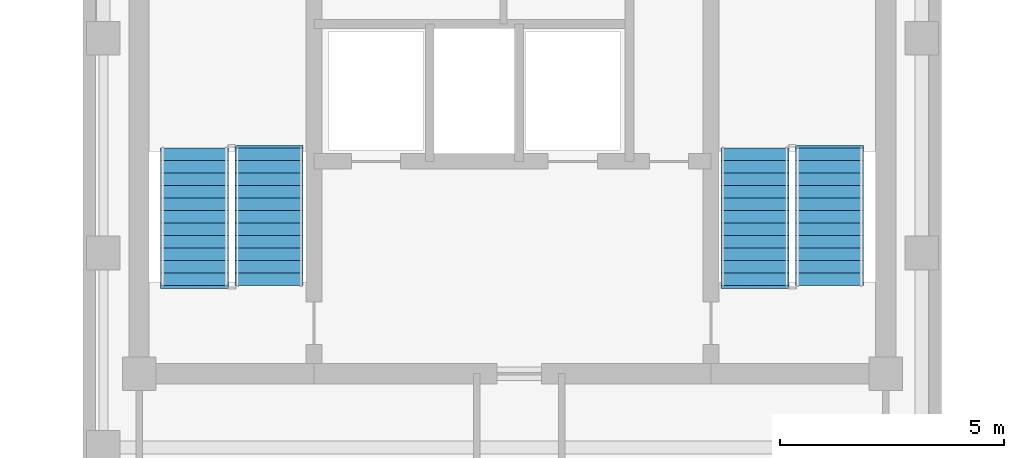
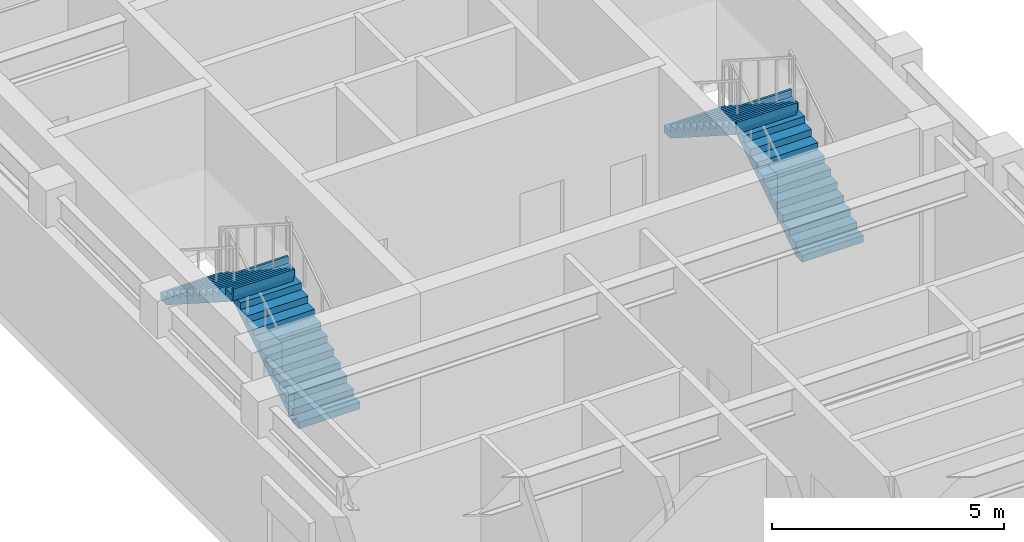
# One storey, part 5 of 7: 4 stair flights, 2 elements without a shape of their own.
"""IFC4 building model written with IfcOpenShell, lengths in metres."""

from ifc_helpers import new_model, si_unit, direction, frame, origin, place, context, subcontext, project, spatial, polyline, outline, extrude, material, type_object, element, aggregate, save


model = new_model("IFC4")

# Units and contexts
model_context = context("Model", 3, precision=1e-05, world=origin(), true_north=direction((0.0, 1.0)))
body_context = subcontext(model_context, "Body", "Model", "MODEL_VIEW")
ifc_project = project(units=[si_unit("LENGTHUNIT", "METRE"), si_unit("AREAUNIT", "SQUARE_METRE"), si_unit("VOLUMEUNIT", "CUBIC_METRE"), si_unit("PLANEANGLEUNIT", "RADIAN"), si_unit("MASSUNIT", "GRAM", prefix="KILO")], contexts=[model_context])

# Site, building, storey
site_placement = place(None, origin())
site = spatial("IfcSite", under=ifc_project, at=site_placement, CompositionType="ELEMENT")
building_placement = place(site_placement, origin())
building = spatial("IfcBuilding", under=site, at=building_placement, Name="Orvandelia Arch Residences", CompositionType="ELEMENT")
storey_placement = place(building_placement, frame((0.0, 0.0, 257.0)))
storey = spatial("IfcBuildingStorey", under=building, at=storey_placement, Name="L67", CompositionType="ELEMENT", Elevation=257.0)

# Stair, stair flights
ifc_material = material(Name="Concrete C40/50", Category="concrete")
stair_type = type_object("IfcStairType", Name="STAIR-RC-DOGLEG", PredefinedType="HALF_TURN_STAIR", material=ifc_material)
stair_1_placement = place(storey_placement, origin())
stair_1 = element("IfcStair", 1, at=stair_1_placement, inside=storey, type_object=stair_type, Name="L67 Protected Exit Stair ST-1", PredefinedType="HALF_TURN_STAIR")
stair_flight_type = type_object("IfcStairFlightType", Name="STFLT-RC-1520", PredefinedType="STRAIGHT", material=ifc_material)
stair_flight_1_placement = place(storey_placement, frame((8.9599609375, 32.8701171875, 0.0), z_axis=(0.0, 0.0, 1.0), x_axis=(0.0, 1.0, 0.0)))
stair_flight_1 = element("IfcStairFlight", 2, at=stair_flight_1_placement, type_object=stair_flight_type, Name="ST-1 flight 1", NumberOfRisers=12, NumberOfTreads=11, PredefinedType="STRAIGHT", RiserHeight=0.179166667, TreadLength=0.28, context=body_context, shape_type="SweptSolid", body=[
    extrude(outline(polyline([(0.0, 0.0), (0.0, 0.17919921875), (0.280029296875, 0.17919921875), (0.280029296875, 0.3583984375), (0.56005859375, 0.3583984375), (0.56005859375, 0.53759765625), (0.840087890625, 0.53759765625), (0.840087890625, 0.716552734375), (1.1201171875, 0.716552734375), (1.1201171875, 0.895751953125), (1.39990234375, 0.895751953125), (1.39990234375, 1.074951171875), (1.679931640625, 1.074951171875), (1.679931640625, 1.254150390625), (1.9599609375, 1.254150390625), (1.9599609375, 1.433349609375), (2.239990234375, 1.433349609375), (2.239990234375, 1.612548828125), (2.52001953125, 1.612548828125), (2.52001953125, 1.791748046875), (2.800048828125, 1.791748046875), (2.800048828125, 1.970947265625), (3.080078125, 1.970947265625), (3.080078125, 2.14990234375), (3.139892578125, 2.14990234375), (3.139892578125, 1.969970703125), (3.080078125, 1.79296875), (0.278076171875, 0.0), (0.0, 0.0)])), frame((0.0, 0.760009765625, 0.0), z_axis=(0.0, -1.0, 0.0), x_axis=(1.0, 0.0, 0.0)), (0.0, 0.0, 1.0), 1.52001953125),
])
stair_flight_2_placement = place(storey_placement, frame((7.2900390625, 35.949951171875, 2.14990234375), z_axis=(0.0, 0.0, 1.0), x_axis=(0.0, -1.0, 0.0)))
stair_flight_2 = element("IfcStairFlight", 3, at=stair_flight_2_placement, type_object=stair_flight_type, Name="ST-1 flight 2", NumberOfRisers=12, NumberOfTreads=11, PredefinedType="STRAIGHT", RiserHeight=0.179166667, TreadLength=0.28, context=body_context, shape_type="SweptSolid", body=[
    extrude(outline(polyline([(0.0, 0.0), (0.0, 0.17919921875), (0.280029296875, 0.17919921875), (0.280029296875, 0.3583984375), (0.56005859375, 0.3583984375), (0.56005859375, 0.53759765625), (0.840087890625, 0.53759765625), (0.840087890625, 0.716552734375), (1.1201171875, 0.716552734375), (1.1201171875, 0.895751953125), (1.39990234375, 0.895751953125), (1.39990234375, 1.074951171875), (1.679931640625, 1.074951171875), (1.679931640625, 1.254150390625), (1.9599609375, 1.254150390625), (1.9599609375, 1.433349609375), (2.239990234375, 1.433349609375), (2.239990234375, 1.612548828125), (2.52001953125, 1.612548828125), (2.52001953125, 1.791748046875), (2.800048828125, 1.791748046875), (2.800048828125, 1.970947265625), (3.080078125, 1.970947265625), (3.080078125, 2.14990234375), (3.139892578125, 2.14990234375), (3.139892578125, 1.969970703125), (3.080078125, 1.79296875), (0.278076171875, 0.0), (0.0, 0.0)])), frame((0.0, 0.760009765625, 0.0), z_axis=(0.0, -1.0, 0.0), x_axis=(1.0, 0.0, 0.0)), (0.0, 0.0, 1.0), 1.52001953125),
])
aggregate(stair_1, [stair_flight_1, stair_flight_2])

stair_2_placement = place(storey_placement, origin())
stair_2 = element("IfcStair", 4, at=stair_2_placement, inside=storey, type_object=stair_type, Name="L67 Protected Exit Stair ST-2", PredefinedType="HALF_TURN_STAIR")
stair_flight_3_placement = place(storey_placement, frame((21.489990234375, 32.8701171875, 0.0), z_axis=(0.0, 0.0, 1.0), x_axis=(0.0, 1.0, 0.0)))
stair_flight_3 = element("IfcStairFlight", 5, at=stair_flight_3_placement, type_object=stair_flight_type, Name="ST-2 flight 1", NumberOfRisers=12, NumberOfTreads=11, PredefinedType="STRAIGHT", RiserHeight=0.179166667, TreadLength=0.28, context=body_context, shape_type="SweptSolid", body=[
    extrude(outline(polyline([(0.0, 0.0), (0.0, 0.17919921875), (0.280029296875, 0.17919921875), (0.280029296875, 0.3583984375), (0.56005859375, 0.3583984375), (0.56005859375, 0.53759765625), (0.840087890625, 0.53759765625), (0.840087890625, 0.716552734375), (1.1201171875, 0.716552734375), (1.1201171875, 0.895751953125), (1.39990234375, 0.895751953125), (1.39990234375, 1.074951171875), (1.679931640625, 1.074951171875), (1.679931640625, 1.254150390625), (1.9599609375, 1.254150390625), (1.9599609375, 1.433349609375), (2.239990234375, 1.433349609375), (2.239990234375, 1.612548828125), (2.52001953125, 1.612548828125), (2.52001953125, 1.791748046875), (2.800048828125, 1.791748046875), (2.800048828125, 1.970947265625), (3.080078125, 1.970947265625), (3.080078125, 2.14990234375), (3.139892578125, 2.14990234375), (3.139892578125, 1.969970703125), (3.080078125, 1.79296875), (0.278076171875, 0.0), (0.0, 0.0)])), frame((0.0, 0.760009765625, 0.0), z_axis=(0.0, -1.0, 0.0), x_axis=(1.0, 0.0, 0.0)), (0.0, 0.0, 1.0), 1.52001953125),
])
stair_flight_4_placement = place(storey_placement, frame((19.820068359375, 35.949951171875, 2.14990234375), z_axis=(0.0, 0.0, 1.0), x_axis=(0.0, -1.0, 0.0)))
stair_flight_4 = element("IfcStairFlight", 6, at=stair_flight_4_placement, type_object=stair_flight_type, Name="ST-2 flight 2", NumberOfRisers=12, NumberOfTreads=11, PredefinedType="STRAIGHT", RiserHeight=0.179166667, TreadLength=0.28, context=body_context, shape_type="SweptSolid", body=[
    extrude(outline(polyline([(0.0, 0.0), (0.0, 0.17919921875), (0.280029296875, 0.17919921875), (0.280029296875, 0.3583984375), (0.56005859375, 0.3583984375), (0.56005859375, 0.53759765625), (0.840087890625, 0.53759765625), (0.840087890625, 0.716552734375), (1.1201171875, 0.716552734375), (1.1201171875, 0.895751953125), (1.39990234375, 0.895751953125), (1.39990234375, 1.074951171875), (1.679931640625, 1.074951171875), (1.679931640625, 1.254150390625), (1.9599609375, 1.254150390625), (1.9599609375, 1.433349609375), (2.239990234375, 1.433349609375), (2.239990234375, 1.612548828125), (2.52001953125, 1.612548828125), (2.52001953125, 1.791748046875), (2.800048828125, 1.791748046875), (2.800048828125, 1.970947265625), (3.080078125, 1.970947265625), (3.080078125, 2.14990234375), (3.139892578125, 2.14990234375), (3.139892578125, 1.969970703125), (3.080078125, 1.79296875), (0.278076171875, 0.0), (0.0, 0.0)])), frame((0.0, 0.760009765625, 0.0), z_axis=(0.0, -1.0, 0.0), x_axis=(1.0, 0.0, 0.0)), (0.0, 0.0, 1.0), 1.52001953125),
])
aggregate(stair_2, [stair_flight_3, stair_flight_4])

save(model, "model.ifc")
